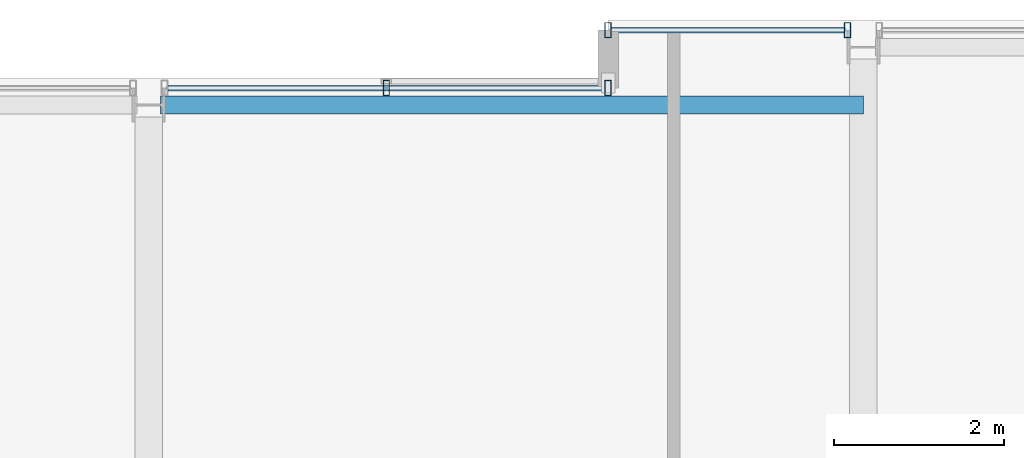
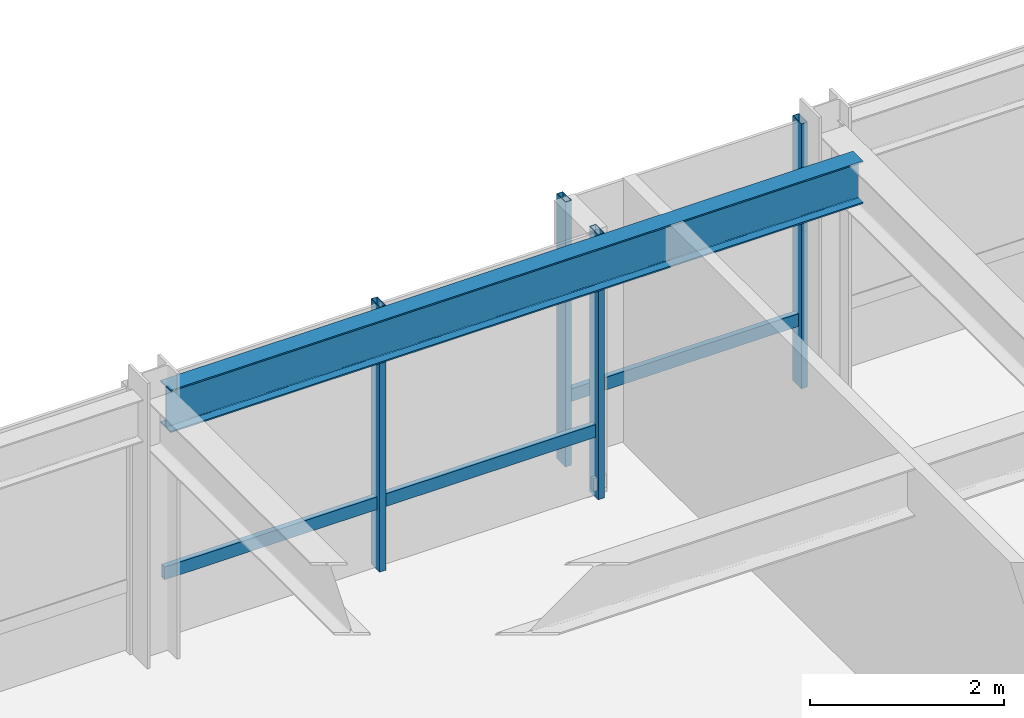
# One storey, part 21 of 32: 6 members, 1 beam, 2 elements without a shape of their own.
"""IFC4 building model written with IfcOpenShell, lengths in metres."""

from ifc_helpers import new_model, si_unit, direction, frame, origin, origin_2d, place, context, subcontext, project, spatial, hollow_rectangle, i_section, extrude, material, layer, layer_set, material_profile, profile_set, type_object, element, aggregate, save


model = new_model("IFC4")

# Units and contexts
model_context = context("Model", 3, precision=1e-05, world=origin(), true_north=direction((0.0, 1.0)))
body_context = subcontext(model_context, "Body", "Model", "MODEL_VIEW")
ifc_project = project(units=[si_unit("LENGTHUNIT", "METRE"), si_unit("AREAUNIT", "SQUARE_METRE"), si_unit("VOLUMEUNIT", "CUBIC_METRE"), si_unit("PLANEANGLEUNIT", "RADIAN"), si_unit("MASSUNIT", "GRAM", prefix="KILO")], contexts=[model_context])

# Site, building, storey
site_placement = place(None, origin())
site = spatial("IfcSite", under=ifc_project, at=site_placement, CompositionType="ELEMENT")
building_placement = place(site_placement, origin())
building = spatial("IfcBuilding", under=site, at=building_placement, Name="Drelvath Grand Hotel", CompositionType="ELEMENT")
storey_placement = place(building_placement, frame((0.0, 0.0, 226.699951171875)))
storey = spatial("IfcBuildingStorey", under=building, at=storey_placement, Name="L59", CompositionType="ELEMENT", Elevation=226.699951171875)

# Curtain wall, member
ifc_material_1 = material(Name="Platinum-Mist Anodised Aluminium Frame", Category="aluminium")
ifc_layer = layer(ifc_material_1, 0.199951171875)
ifc_layer_set = layer_set([ifc_layer], Name="Platinum-Mist Anodised Aluminium Frame")
curtain_wall_type = type_object("IfcCurtainWallType", Name="Stick Curtain Wall CW-05 Platinum Mist High-Rise", PredefinedType="NOTDEFINED", material=ifc_layer_set)
curtain_wall_1_placement = place(storey_placement, origin())
curtain_wall_1 = element("IfcCurtainWall", 1, at=curtain_wall_1_placement, inside=storey, type_object=curtain_wall_type, Name="L59 CW-05 Curtain Wall CW05-L59-NM2", PredefinedType="NOTDEFINED")
ifc_material_profile_1 = material_profile(ifc_material_1, hollow_rectangle(XDim=0.06494140625, YDim=0.159912109375, WallThickness=0.00390625, at=origin_2d()), Name="HSS160X65X4")
ifc_profile_set_1 = profile_set([ifc_material_profile_1], Name="Platinum-Mist Anodised Aluminium Frame")
member_type_1 = type_object("IfcMemberType", Name="Curtain Wall Horizontal Transom CW-05 HSS160X65X4", PredefinedType="USERDEFINED", material=ifc_profile_set_1)
member_1_placement = place(storey_placement, frame((0.225341796875, 48.39990234375, 0.8349609375), z_axis=(1.0, 0.0, 0.0), x_axis=(0.0, 1.0, 0.0)))
member_1 = element("IfcMember", 2, at=member_1_placement, type_object=member_type_1, Name="CW05-L59-NM2 Sill Transom", ObjectType="TRANSOM", PredefinedType="USERDEFINED", context=body_context, shape_type="SweptSolid", body=[
    extrude(hollow_rectangle(XDim=0.06494140625, YDim=0.159912109375, WallThickness=0.00390625, at=origin_2d()), origin(), (0.0, 0.0, 1.0), 5.134765625),
])

curtain_wall_2_placement = place(storey_placement, origin())
curtain_wall_2 = element("IfcCurtainWall", 3, at=curtain_wall_2_placement, inside=storey, type_object=curtain_wall_type, Name="L59 CW-05 Curtain Wall CW05-L59-NE1", PredefinedType="NOTDEFINED")
member_2_placement = place(storey_placement, frame((5.43994140625, 49.080078125, 0.8349609375), z_axis=(1.0, 0.0, 0.0), x_axis=(0.0, 1.0, 0.0)))
member_2 = element("IfcMember", 4, at=member_2_placement, type_object=member_type_1, Name="CW05-L59-NE1 Sill Transom", ObjectType="TRANSOM", PredefinedType="USERDEFINED", context=body_context, shape_type="SweptSolid", body=[
    extrude(hollow_rectangle(XDim=0.06494140625, YDim=0.159912109375, WallThickness=0.00390625, at=origin_2d()), origin(), (0.0, 0.0, 1.0), 2.73486328125),
])

# Member
ifc_material_profile_2 = material_profile(ifc_material_1, hollow_rectangle(XDim=0.074951171875, YDim=0.179931640625, WallThickness=0.0048828125, at=origin_2d()), Name="HSS180X75X5")
ifc_profile_set_2 = profile_set([ifc_material_profile_2], Name="Platinum-Mist Anodised Aluminium Frame")
member_type_2 = type_object("IfcMemberType", Name="Curtain Wall Vertical Mullion CW-05 HSS180X75X5", PredefinedType="MULLION", material=ifc_profile_set_2)
member_3_placement = place(storey_placement, frame((2.792724609375, 48.39990234375, 0.0), z_axis=(0.0, 0.0, 1.0), x_axis=(1.0, 0.0, 0.0)))
member_3 = element("IfcMember", 5, at=member_3_placement, type_object=member_type_2, Name="CW05-L59-NM2 Mullion 2", PredefinedType="MULLION", context=body_context, shape_type="SweptSolid", body=[
    extrude(hollow_rectangle(XDim=0.074951171875, YDim=0.179931640625, WallThickness=0.0048828125, at=origin_2d()), origin(), (0.0, 0.0, 1.0), 3.340087890625),
])

member_4_placement = place(storey_placement, frame((5.39990234375, 48.39990234375, 0.0), z_axis=(0.0, 0.0, 1.0), x_axis=(1.0, 0.0, 0.0)))
member_4 = element("IfcMember", 6, at=member_4_placement, type_object=member_type_2, Name="CW05-L59-NM2 Mullion 3", PredefinedType="MULLION", context=body_context, shape_type="SweptSolid", body=[
    extrude(hollow_rectangle(XDim=0.074951171875, YDim=0.179931640625, WallThickness=0.0048828125, at=origin_2d()), origin(), (0.0, 0.0, 1.0), 3.340087890625),
])

aggregate(curtain_wall_1, [member_3, member_4, member_1])

member_5_placement = place(storey_placement, frame((5.39990234375, 49.080078125, 0.0), z_axis=(0.0, 0.0, 1.0), x_axis=(1.0, 0.0, 0.0)))
member_5 = element("IfcMember", 7, at=member_5_placement, type_object=member_type_2, Name="CW05-L59-NE1 Mullion 1", PredefinedType="MULLION", context=body_context, shape_type="SweptSolid", body=[
    extrude(hollow_rectangle(XDim=0.074951171875, YDim=0.179931640625, WallThickness=0.0048828125, at=origin_2d()), origin(), (0.0, 0.0, 1.0), 3.340087890625),
])

member_6_placement = place(storey_placement, frame((8.214599609375, 49.080078125, 0.0), z_axis=(0.0, 0.0, 1.0), x_axis=(1.0, 0.0, 0.0)))
member_6 = element("IfcMember", 8, at=member_6_placement, type_object=member_type_2, Name="CW05-L59-NE1 Mullion 2", PredefinedType="MULLION", context=body_context, shape_type="SweptSolid", body=[
    extrude(hollow_rectangle(XDim=0.074951171875, YDim=0.179931640625, WallThickness=0.0048828125, at=origin_2d()), origin(), (0.0, 0.0, 1.0), 3.340087890625),
])

aggregate(curtain_wall_2, [member_5, member_6, member_2])

# Beam
ifc_material_2 = material(Name="Steel ASTM A992 Gr 50", Category="steel")
ifc_material_profile_3 = material_profile(ifc_material_2, i_section(OverallWidth=0.210205078125, OverallDepth=0.53662109375, WebThickness=0.010986328125, FlangeThickness=0.017333984375, FilletRadius=0.01806640625, at=origin_2d()), Name="W21X68")
ifc_profile_set_3 = profile_set([ifc_material_profile_3], Name="Steel ASTM A992 Gr 50")
beam_type = type_object("IfcBeamType", Name="Perimeter Spandrel Beam W21X68", PredefinedType="SPANDREL", material=ifc_profile_set_3)
beam_placement = place(storey_placement, frame((0.139892578125, 48.199951171875, 3.071533203125), z_axis=(1.0, 0.0, 0.0), x_axis=(0.0, 1.0, 0.0)))
element("IfcBeam", 9, at=beam_placement, inside=storey, type_object=beam_type, Name="L59 Spandrel North Mid E", PredefinedType="SPANDREL", context=body_context, shape_type="SweptSolid", body=[
    extrude(i_section(OverallWidth=0.210205078125, OverallDepth=0.53662109375, WebThickness=0.010986328125, FlangeThickness=0.017333984375, FilletRadius=0.01806640625, at=origin_2d()), origin(), (0.0, 0.0, 1.0), 8.260009765625),
])

save(model, "model.ifc")
